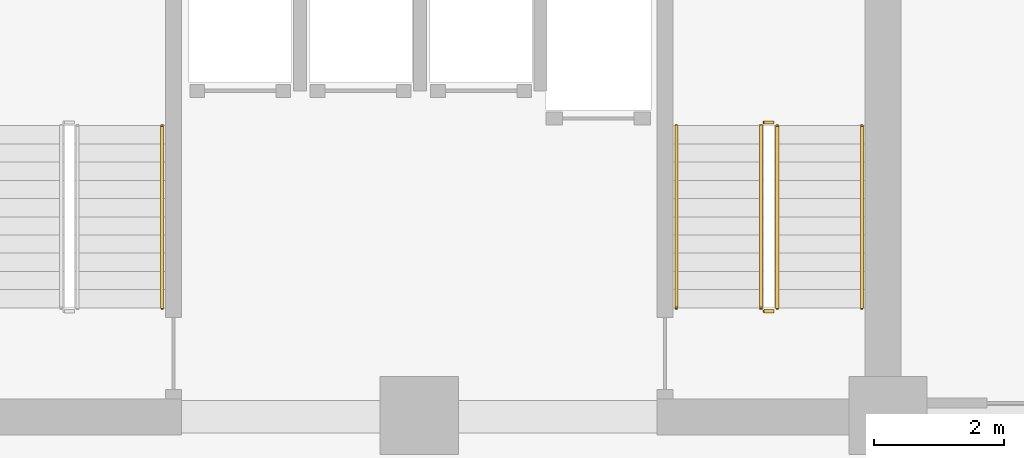
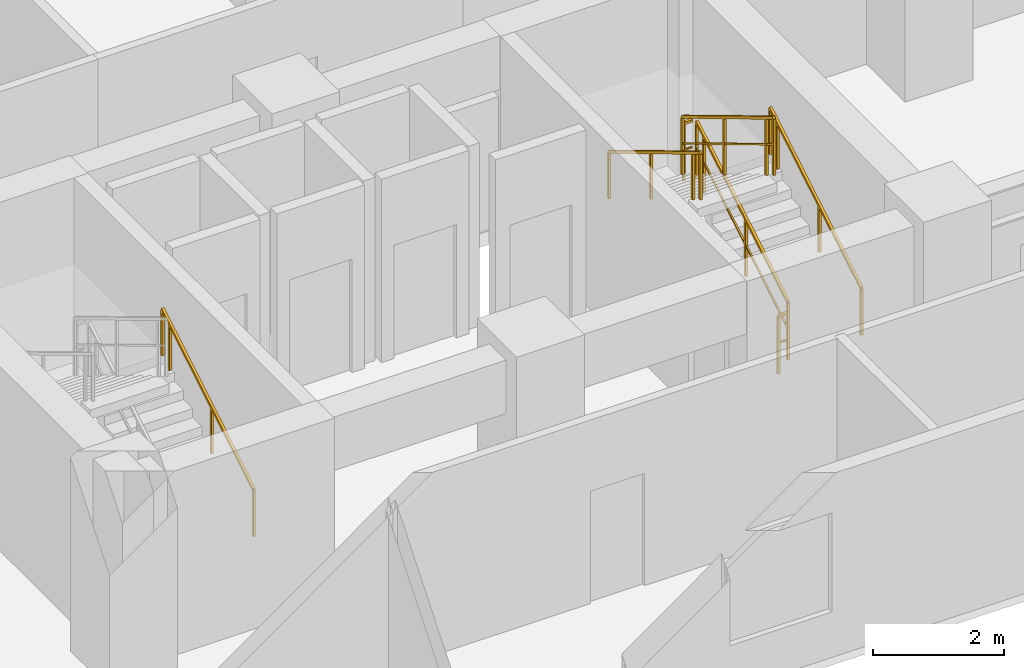
# One storey, part 10 of 11: 7 railings.
"""IFC4 building model written with IfcOpenShell, lengths in metres."""

from ifc_helpers import new_model, si_unit, direction, frame, origin, origin_2d, place, context, subcontext, project, spatial, rectangle, extrude, material, type_object, element, save


model = new_model("IFC4")

# Units and contexts
model_context = context("Model", 3, precision=1e-05, world=origin(), true_north=direction((0.0, 1.0)))
body_context = subcontext(model_context, "Body", "Model", "MODEL_VIEW")
ifc_project = project(units=[si_unit("LENGTHUNIT", "METRE"), si_unit("AREAUNIT", "SQUARE_METRE"), si_unit("VOLUMEUNIT", "CUBIC_METRE"), si_unit("PLANEANGLEUNIT", "RADIAN"), si_unit("MASSUNIT", "GRAM", prefix="KILO")], contexts=[model_context])

# Site, building, storey
site_placement = place(None, origin())
site = spatial("IfcSite", under=ifc_project, at=site_placement, CompositionType="ELEMENT")
building_placement = place(site_placement, origin())
building = spatial("IfcBuilding", under=site, at=building_placement, Name="Kaliganga Portal Commons", CompositionType="ELEMENT")
storey_placement = place(building_placement, frame((0.0, 0.0, 104.5)))
storey = spatial("IfcBuildingStorey", under=building, at=storey_placement, Name="L26", CompositionType="ELEMENT", Elevation=104.5)

# Railings
ifc_material_1 = material(Name="Galvanized Painted Steel Balustrade", Category="steel")
railing_type_1 = type_object("IfcRailingType", Name="RLG-STAIR-GRD", PredefinedType="GUARDRAIL", material=ifc_material_1)
railing_1_placement = place(storey_placement, frame((48.699951171875, 8.699951171875, 0.168212890625)))
element("IfcRailing", 1, at=railing_1_placement, inside=storey, type_object=railing_type_1, Name="L26 ST-B2 stair guard 1", PredefinedType="GUARDRAIL", context=body_context, shape_type="SweptSolid", body=[
    extrude(rectangle(XDim=0.048095703125, YDim=0.048095703125, at=origin_2d()), frame((0.0, 0.0, 1.072021484375), z_axis=(0.0, 0.857242210791, 0.514913383045), x_axis=(-1.0, 0.0, 0.0)), (0.0, 0.0, 1.0), 3.266357421875),
    extrude(rectangle(XDim=0.028076171875, YDim=0.028076171875, at=origin_2d()), frame((0.0, 0.0, 0.572021484375), z_axis=(0.0, 0.857242210791, 0.514913383045), x_axis=(-1.0, 0.0, 0.0)), (0.0, 0.0, 1.0), 3.266357421875),
    extrude(rectangle(XDim=0.0419921875, YDim=0.0419921875, at=origin_2d()), origin(), (0.0, 0.0, 1.0), 1.052001953125),
    extrude(rectangle(XDim=0.0419921875, YDim=0.0419921875, at=origin_2d()), frame((0.0, 1.285888671875, 0.7724609375)), (0.0, 0.0, 1.0), 1.052001953125),
    extrude(rectangle(XDim=0.0419921875, YDim=0.0419921875, at=origin_2d()), frame((0.0, 2.57177734375, 1.544677734375)), (0.0, 0.0, 1.0), 1.052001953125),
    extrude(rectangle(XDim=0.0419921875, YDim=0.0419921875, at=origin_2d()), frame((0.0, 2.800048828125, 1.681884765625)), (0.0, 0.0, 1.0), 1.052001953125),
])
railing_2_placement = place(storey_placement, frame((48.64990234375, 11.550048828125, 1.85009765625)))
element("IfcRailing", 2, at=railing_2_placement, inside=storey, type_object=railing_type_1, Name="L26 ST-B2 stair guard 2", PredefinedType="GUARDRAIL", context=body_context, shape_type="SweptSolid", body=[
    extrude(rectangle(XDim=0.048095703125, YDim=0.048095703125, at=origin_2d()), frame((0.0, 0.0, 1.076171875), z_axis=(-1.0, 0.0, 0.0), x_axis=(0.0, -1.0, 0.0)), (0.0, 0.0, 1.0), 0.14990234375),
    extrude(rectangle(XDim=0.028076171875, YDim=0.028076171875, at=origin_2d()), frame((0.0, 0.0, 0.572021484375), z_axis=(-1.0, 0.0, 0.0), x_axis=(0.0, -1.0, 0.0)), (0.0, 0.0, 1.0), 0.14990234375),
    extrude(rectangle(XDim=0.0419921875, YDim=0.0419921875, at=origin_2d()), frame((-0.14990234375, 0.0, 0.0)), (0.0, 0.0, 1.0), 1.052001953125),
])
railing_3_placement = place(storey_placement, frame((48.449951171875, 11.5, 2.01806640625)))
element("IfcRailing", 3, at=railing_3_placement, inside=storey, type_object=railing_type_1, Name="L26 ST-B2 stair guard 3", PredefinedType="GUARDRAIL", context=body_context, shape_type="SweptSolid", body=[
    extrude(rectangle(XDim=0.048095703125, YDim=0.048095703125, at=origin_2d()), frame((0.0, 0.0, 1.072021484375), z_axis=(0.0, -0.857242210791, 0.514913383045), x_axis=(1.0, 0.0, 0.0)), (0.0, 0.0, 1.0), 3.266357421875),
    extrude(rectangle(XDim=0.028076171875, YDim=0.028076171875, at=origin_2d()), frame((0.0, 0.0, 0.572021484375), z_axis=(0.0, -0.857242210791, 0.514913383045), x_axis=(1.0, 0.0, 0.0)), (0.0, 0.0, 1.0), 3.266357421875),
    extrude(rectangle(XDim=0.0419921875, YDim=0.0419921875, at=origin_2d()), origin(), (0.0, 0.0, 1.0), 1.052001953125),
    extrude(rectangle(XDim=0.0419921875, YDim=0.0419921875, at=origin_2d()), frame((0.0, -1.285888671875, 0.7724609375)), (0.0, 0.0, 1.0), 1.052001953125),
    extrude(rectangle(XDim=0.0419921875, YDim=0.0419921875, at=origin_2d()), frame((0.0, -2.57177734375, 1.544677734375)), (0.0, 0.0, 1.0), 1.052001953125),
    extrude(rectangle(XDim=0.0419921875, YDim=0.0419921875, at=origin_2d()), frame((0.0, -2.800048828125, 1.681884765625)), (0.0, 0.0, 1.0), 1.052001953125),
])
railing_4_placement = place(storey_placement, frame((48.64990234375, 8.64990234375, 0.0)))
element("IfcRailing", 4, at=railing_4_placement, inside=storey, type_object=railing_type_1, Name="L26 ST-B2 stair guard 4", PredefinedType="GUARDRAIL", context=body_context, shape_type="SweptSolid", body=[
    extrude(rectangle(XDim=0.048095703125, YDim=0.048095703125, at=origin_2d()), frame((0.0, 0.0, 1.076171875), z_axis=(-1.0, 0.0, 0.0), x_axis=(0.0, -1.0, 0.0)), (0.0, 0.0, 1.0), 0.14990234375),
    extrude(rectangle(XDim=0.028076171875, YDim=0.028076171875, at=origin_2d()), frame((0.0, 0.0, 0.572021484375), z_axis=(-1.0, 0.0, 0.0), x_axis=(0.0, -1.0, 0.0)), (0.0, 0.0, 1.0), 0.14990234375),
    extrude(rectangle(XDim=0.0419921875, YDim=0.0419921875, at=origin_2d()), frame((-0.14990234375, 0.0, 0.0)), (0.0, 0.0, 1.0), 1.052001953125),
])
ifc_material_2 = material(Name="Brushed Stainless Steel 316", Category="steel")
railing_type_2 = type_object("IfcRailingType", Name="RLG-STAIR-HR", PredefinedType="HANDRAIL", material=ifc_material_2)
for number, where, name in (
    (5, (39.25, 8.699951171875, 0.168212890625), "L26 ST-B1 stair handrail 1"),
    (6, (50.0, 8.699951171875, 0.168212890625), "L26 ST-B2 stair handrail 1"),
):
    element("IfcRailing", number, at=place(storey_placement, frame(where)), inside=storey, type_object=railing_type_2, Name=name, PredefinedType="HANDRAIL", context=body_context, shape_type="SweptSolid", body=[
        extrude(rectangle(XDim=0.048095703125, YDim=0.048095703125, at=origin_2d()), frame((0.0, 0.0, 0.871826171875), z_axis=(0.0, 0.857242210791, 0.514913383045), x_axis=(-1.0, 0.0, 0.0)), (0.0, 0.0, 1.0), 3.266357421875),
        extrude(rectangle(XDim=0.0419921875, YDim=0.0419921875, at=origin_2d()), origin(), (0.0, 0.0, 1.0), 0.851806640625),
        extrude(rectangle(XDim=0.0419921875, YDim=0.0419921875, at=origin_2d()), frame((0.0, 1.285888671875, 0.7724609375)), (0.0, 0.0, 1.0), 0.851806640625),
        extrude(rectangle(XDim=0.0419921875, YDim=0.0419921875, at=origin_2d()), frame((0.0, 2.57177734375, 1.544677734375)), (0.0, 0.0, 1.0), 0.851806640625),
        extrude(rectangle(XDim=0.0419921875, YDim=0.0419921875, at=origin_2d()), frame((0.0, 2.800048828125, 1.681884765625)), (0.0, 0.0, 1.0), 0.851806640625),
    ])
railing_5_placement = place(storey_placement, frame((47.14990234375, 11.5, 2.01806640625)))
element("IfcRailing", 7, at=railing_5_placement, inside=storey, type_object=railing_type_2, Name="L26 ST-B2 stair handrail 2", PredefinedType="HANDRAIL", context=body_context, shape_type="SweptSolid", body=[
    extrude(rectangle(XDim=0.048095703125, YDim=0.048095703125, at=origin_2d()), frame((0.0, 0.0, 0.871826171875), z_axis=(0.0, -0.857242210791, 0.514913383045), x_axis=(1.0, 0.0, 0.0)), (0.0, 0.0, 1.0), 3.266357421875),
    extrude(rectangle(XDim=0.0419921875, YDim=0.0419921875, at=origin_2d()), origin(), (0.0, 0.0, 1.0), 0.851806640625),
    extrude(rectangle(XDim=0.0419921875, YDim=0.0419921875, at=origin_2d()), frame((0.0, -1.285888671875, 0.7724609375)), (0.0, 0.0, 1.0), 0.851806640625),
    extrude(rectangle(XDim=0.0419921875, YDim=0.0419921875, at=origin_2d()), frame((0.0, -2.57177734375, 1.544677734375)), (0.0, 0.0, 1.0), 0.851806640625),
    extrude(rectangle(XDim=0.0419921875, YDim=0.0419921875, at=origin_2d()), frame((0.0, -2.800048828125, 1.681884765625)), (0.0, 0.0, 1.0), 0.851806640625),
])

save(model, "model.ifc")
